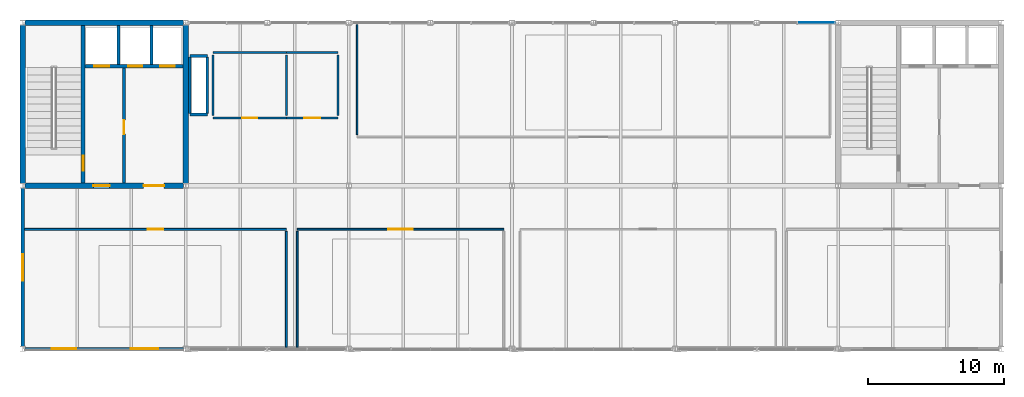
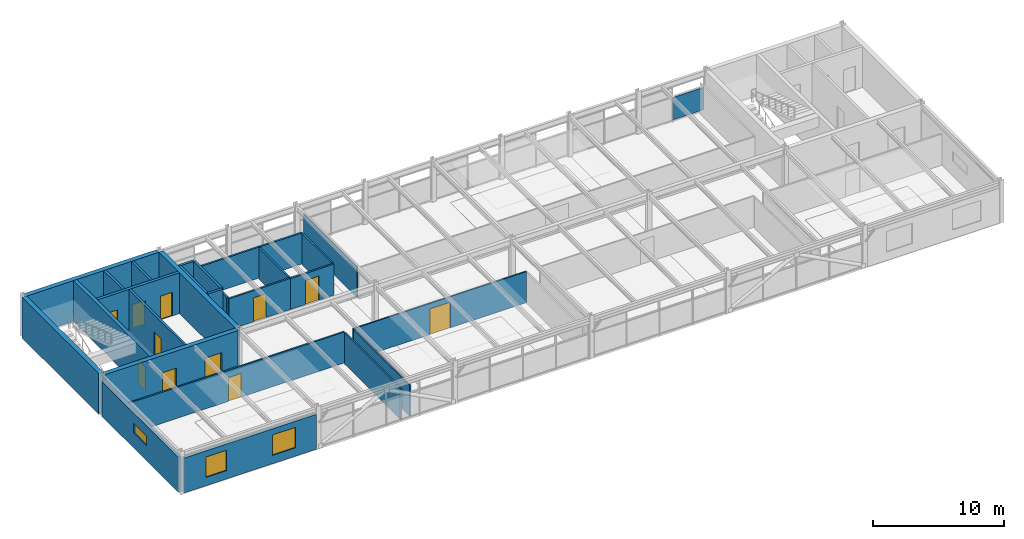
# One storey, part 19 of 23: 27 walls, 11 doors, 3 windows, 1 plate, 14 openings, 1 element without a shape of its own.
"""IFC4 building model written with IfcOpenShell, lengths in metres."""

from ifc_helpers import new_model, si_unit, direction, frame, frame_2d, origin, origin_2d, place, context, subcontext, project, spatial, rectangle, extrude, material, layer, layer_set, type_object, element, fill, aggregate, save


model = new_model("IFC4")

# Units and contexts
model_context = context("Model", 3, precision=1e-05, world=origin(), true_north=direction((0.0, 1.0)))
body_context = subcontext(model_context, "Body", "Model", "MODEL_VIEW")
ifc_project = project(units=[si_unit("LENGTHUNIT", "METRE"), si_unit("AREAUNIT", "SQUARE_METRE"), si_unit("VOLUMEUNIT", "CUBIC_METRE"), si_unit("PLANEANGLEUNIT", "RADIAN"), si_unit("MASSUNIT", "GRAM", prefix="KILO")], contexts=[model_context])

# Site, building, storey
site_placement = place(None, origin())
site = spatial("IfcSite", under=ifc_project, at=site_placement, CompositionType="ELEMENT")
building_placement = place(site_placement, origin())
building = spatial("IfcBuilding", under=site, at=building_placement, Name="Girod Span Mobility Hub", CompositionType="ELEMENT")
storey_placement = place(building_placement, frame((0.0, 0.0, 65.60009765625)))
storey = spatial("IfcBuildingStorey", under=building, at=storey_placement, Name="L16", CompositionType="ELEMENT", Elevation=65.60009765625)

# Curtain wall, plate
ifc_material_1 = material(Name="Thermally Broken Anodised Aluminium", Category="aluminium")
curtain_wall_type = type_object("IfcCurtainWallType", Name="CW-564X325", PredefinedType="USERDEFINED", material=ifc_material_1)
curtain_wall_placement = place(storey_placement, origin())
curtain_wall = element("IfcCurtainWall", 1, at=curtain_wall_placement, inside=storey, type_object=curtain_wall_type, Name="Unitised Curtain Wall CW-L16-N09E L16", ObjectType="UNITISED CURTAIN WALL", PredefinedType="USERDEFINED")
ifc_material_2 = material(Name="Double Low-E Insulated Glazing", Category="glass")
ifc_layer_1 = layer(ifc_material_2, 0.035888671875)
ifc_layer_set_1 = layer_set([ifc_layer_1], Name="Double Low-E Insulated Glazing")
plate_type = type_object("IfcPlateType", Name="PLT-VIS-2748X2337X36", PredefinedType="CURTAIN_PANEL", material=ifc_layer_set_1)
plate_placement = place(storey_placement, frame((106.40869140625, 69.0, 0.139892578125), z_axis=(0.0, 0.0, 1.0), x_axis=(1.0, 0.0, 0.0)))
plate = element("IfcPlate", 2, at=plate_placement, type_object=plate_type, Name="Vision Glazing Panel CW-L16-N09E-V2", PredefinedType="CURTAIN_PANEL", context=body_context, shape_type="SweptSolid", body=[
    extrude(rectangle(XDim=2.75341796875, YDim=0.035888671875, at=origin_2d()), origin(), (0.0, 0.0, 1.0), 2.0771484375),
])
aggregate(curtain_wall, [plate])

# Wall, openings, doors
ifc_material_3 = material(Name="Concrete C40/50", Category="concrete")
ifc_layer_2 = layer(ifc_material_3, 0.39990234375)
ifc_layer_set_2 = layer_set([ifc_layer_2], Name="Concrete C40/50")
wall_type_1 = type_object("IfcWallType", Name="W-CW-400", PredefinedType="SHEAR", material=ifc_layer_set_2)
wall_1_placement = place(storey_placement, frame((48.181396484375, 57.0, 0.0), z_axis=(0.0, 0.0, 1.0), x_axis=(1.0, 0.0, 0.0)))
wall_1 = element("IfcWall", 3, at=wall_1_placement, inside=storey, type_object=wall_type_1, Name="Core C1 Shear Wall S L16", PredefinedType="SHEAR", context=body_context, shape_type="SweptSolid", body=[
    extrude(rectangle(XDim=11.63720703125, YDim=0.39990234375, at=frame_2d((5.818603515625, 0.0))), origin(), (0.0, 0.0, 1.0), 3.79296875),
])
opening_1_placement = place(wall_1_placement, frame((5.01904296875, 0.0, 0.0)))
opening_1 = element("IfcOpeningElement", 4, at=opening_1_placement, cuts=wall_1, Name="Opening D-FL-C1-L16", PredefinedType="OPENING", context=body_context, shape_type="SweptSolid", body=[
    extrude(rectangle(XDim=1.199951171875, YDim=2.199951171875, at=frame_2d((0.60009765625, 1.10009765625))), frame((0.0, 0.21484375, 0.0), z_axis=(0.0, -1.0, 0.0), x_axis=(1.0, 0.0, 0.0)), (0.0, 0.0, 1.0), 0.429931640625),
])
opening_2_placement = place(wall_1_placement, frame((8.718017578125, 0.0, 0.0)))
opening_2 = element("IfcOpeningElement", 5, at=opening_2_placement, cuts=wall_1, Name="Opening D-LB-C1-L16", PredefinedType="OPENING", context=body_context, shape_type="SweptSolid", body=[
    extrude(rectangle(XDim=1.5, YDim=2.25, at=frame_2d((0.75, 1.125))), frame((0.0, 0.21484375, 0.0), z_axis=(0.0, -1.0, 0.0), x_axis=(1.0, 0.0, 0.0)), (0.0, 0.0, 1.0), 0.429931640625),
])
ifc_material_4 = material(Name="Fire-Rated Insulated Hollow Metal Steel", Category="steel")
door_type_1 = type_object("IfcDoorType", Name="DT-FD-03", OperationType="DOUBLE_DOOR_SINGLE_SWING", PredefinedType="DOOR", material=ifc_material_4)
door_1_placement = place(opening_2_placement, origin())
door_1 = element("IfcDoor", 6, at=door_1_placement, inside=storey, type_object=door_type_1, Name="Lift Lobby Entry Door C1 L16", OperationType="DOUBLE_DOOR_SINGLE_SWING", OverallHeight=2.25, OverallWidth=1.5, PredefinedType="DOOR", context=body_context, shape_type="SweptSolid", body=[
    extrude(rectangle(XDim=1.5, YDim=2.25, at=frame_2d((0.75, 1.125))), frame((0.0, 0.02490234375, 0.0), z_axis=(0.0, -1.0, 0.0), x_axis=(1.0, 0.0, 0.0)), (0.0, 0.0, 1.0), 0.050048828125),
])
fill(opening_2, door_1)
ifc_material_5 = material(Name="Fire-Rated Insulated Hollow Metal Steel", Category="steel")
door_type_2 = type_object("IfcDoorType", Name="DT-FD-05", OperationType="NOTDEFINED", PredefinedType="DOOR", material=ifc_material_5)
door_2_placement = place(opening_1_placement, origin())
door_2 = element("IfcDoor", 7, at=door_2_placement, inside=storey, type_object=door_type_2, Name="Firefighting Lobby Entry Door C1 L16", OperationType="SINGLE_SWING_RIGHT", OverallHeight=2.199951171875, OverallWidth=1.199951171875, PredefinedType="DOOR", context=body_context, shape_type="SweptSolid", body=[
    extrude(rectangle(XDim=1.199951171875, YDim=2.199951171875, at=frame_2d((0.60009765625, 1.10009765625))), frame((0.0, 0.02490234375, 0.0), z_axis=(0.0, -1.0, 0.0), x_axis=(1.0, 0.0, 0.0)), (0.0, 0.0, 1.0), 0.050048828125),
])
fill(opening_1, door_2)

# Walls
wall_2_placement = place(storey_placement, frame((48.181396484375, 69.0, 0.0), z_axis=(0.0, 0.0, 1.0), x_axis=(1.0, 0.0, 0.0)))
element("IfcWall", 8, at=wall_2_placement, inside=storey, type_object=wall_type_1, Name="Core C1 Shear Wall N L16", PredefinedType="SHEAR", context=body_context, shape_type="SweptSolid", body=[
    extrude(rectangle(XDim=11.63720703125, YDim=0.39990234375, at=frame_2d((5.818603515625, 0.0))), origin(), (0.0, 0.0, 1.0), 3.79296875),
])
for number, where, z_axis, x_axis, name in (
    (9, (48.0, 57.175048828125, 0.0), (0.0, 0.0, 1.0), (0.0, 1.0, 0.0), "Core C1 Shear Wall W L16"),
    (10, (60.0, 57.175048828125, 0.0), (0.0, 0.0, 1.0), (0.0, 1.0, 0.0), "Core C1 Shear Wall E L16"),
):
    element("IfcWall", number, at=place(storey_placement, frame(where, z_axis=z_axis, x_axis=x_axis)), inside=storey, type_object=wall_type_1, Name=name, PredefinedType="SHEAR", context=body_context, shape_type="SweptSolid", body=[
        extrude(rectangle(XDim=11.64990234375, YDim=0.39990234375, at=frame_2d((5.824951171875, 0.0))), origin(), (0.0, 0.0, 1.0), 3.79296875),
    ])

# Wall, openings, windows
ifc_material_6 = material(Name="Precast Architectural Concrete C40/50", Category="concrete")
ifc_layer_3 = layer(ifc_material_6, 0.235107421875)
ifc_layer_set_3 = layer_set([ifc_layer_3], Name="Precast Architectural Concrete C40/50")
wall_type_2 = type_object("IfcWallType", Name="W-EXT-235", PredefinedType="SOLIDWALL", material=ifc_layer_set_3)
wall_3_placement = place(storey_placement, frame((48.1826171875, 45.0, 0.0), z_axis=(0.0, 0.0, 1.0), x_axis=(1.0, 0.0, 0.0)))
wall_3 = element("IfcWall", 11, at=wall_3_placement, inside=storey, type_object=wall_type_2, Name="Office Insulated Facade Wall S-5 L16", PredefinedType="SOLIDWALL", context=body_context, shape_type="SweptSolid", body=[
    extrude(rectangle(XDim=11.634765625, YDim=0.235107421875, at=frame_2d((5.8173828125, 0.0))), origin(), (0.0, 0.0, 1.0), 3.245849609375),
])
opening_3_placement = place(wall_3_placement, frame((1.9599609375, 0.0, 0.780029296875)))
opening_3 = element("IfcOpeningElement", 12, at=opening_3_placement, cuts=wall_3, Name="Opening W-L16-S4A", PredefinedType="OPENING", context=body_context, shape_type="SweptSolid", body=[
    extrude(rectangle(XDim=1.780029296875, YDim=1.89990234375, at=frame_2d((0.89013671875, 0.949951171875))), frame((0.0, 0.132568359375, 0.0), z_axis=(0.0, -1.0, 0.0), x_axis=(1.0, 0.0, 0.0)), (0.0, 0.0, 1.0), 0.26513671875),
])
opening_4_placement = place(wall_3_placement, frame((7.77490234375, 0.0, 0.780029296875)))
opening_4 = element("IfcOpeningElement", 13, at=opening_4_placement, cuts=wall_3, Name="Opening W-L16-S4B", PredefinedType="OPENING", context=body_context, shape_type="SweptSolid", body=[
    extrude(rectangle(XDim=2.02001953125, YDim=1.89990234375, at=frame_2d((1.010009765625, 0.949951171875))), frame((0.0, 0.132568359375, 0.0), z_axis=(0.0, -1.0, 0.0), x_axis=(1.0, 0.0, 0.0)), (0.0, 0.0, 1.0), 0.26513671875),
])
ifc_material_7 = material(Name="Double Low-E Insulated Glazing", Category="glass")
window_type_1 = type_object("IfcWindowType", Name="WN-40", PartitioningType="SINGLE_PANEL", PredefinedType="WINDOW", material=ifc_material_7)
window_1_placement = place(opening_3_placement, origin())
window_1 = element("IfcWindow", 14, at=window_1_placement, inside=storey, type_object=window_type_1, Name="Office Window WN-40", OverallHeight=1.89990234375, OverallWidth=1.780029296875, PartitioningType="SINGLE_PANEL", PredefinedType="WINDOW", context=body_context, shape_type="SweptSolid", body=[
    extrude(rectangle(XDim=1.780029296875, YDim=1.89990234375, at=frame_2d((0.89013671875, 0.949951171875))), frame((0.0, 0.030029296875, 0.0), z_axis=(0.0, -1.0, 0.0), x_axis=(1.0, 0.0, 0.0)), (0.0, 0.0, 1.0), 0.06005859375),
])
fill(opening_3, window_1)
ifc_material_8 = material(Name="Double Low-E Insulated Glazing", Category="glass")
window_type_2 = type_object("IfcWindowType", Name="WN-41", PartitioningType="DOUBLE_PANEL_VERTICAL", PredefinedType="WINDOW", material=ifc_material_8)
window_2_placement = place(opening_4_placement, origin())
window_2 = element("IfcWindow", 15, at=window_2_placement, inside=storey, type_object=window_type_2, Name="Office Window WN-41", OverallHeight=1.89990234375, OverallWidth=2.02001953125, PartitioningType="DOUBLE_PANEL_VERTICAL", PredefinedType="WINDOW", context=body_context, shape_type="SweptSolid", body=[
    extrude(rectangle(XDim=2.02001953125, YDim=1.89990234375, at=frame_2d((1.010009765625, 0.949951171875))), frame((0.0, 0.030029296875, 0.0), z_axis=(0.0, -1.0, 0.0), x_axis=(1.0, 0.0, 0.0)), (0.0, 0.0, 1.0), 0.06005859375),
])
fill(opening_4, window_2)

# Wall, opening, window
ifc_material_9 = material(Name="Precast Architectural Concrete C40/50", Category="concrete")
ifc_layer_4 = layer(ifc_material_9, 0.27001953125)
ifc_layer_set_4 = layer_set([ifc_layer_4], Name="Precast Architectural Concrete C40/50")
wall_type_3 = type_object("IfcWallType", Name="W-EXT-270", PredefinedType="SOLIDWALL", material=ifc_layer_set_4)
wall_4_placement = place(storey_placement, frame((48.0, 45.176025390625, 0.0), z_axis=(0.0, 0.0, 1.0), x_axis=(0.0, 1.0, 0.0)))
wall_4 = element("IfcWall", 16, at=wall_4_placement, inside=storey, type_object=wall_type_3, Name="End Facade Insulated Wall W-D L16", PredefinedType="SOLIDWALL", context=body_context, shape_type="SweptSolid", body=[
    extrude(rectangle(XDim=11.64794921875, YDim=0.27001953125, at=frame_2d((5.823974609375, 0.0))), origin(), (0.0, 0.0, 1.0), 3.245849609375),
])
opening_5_placement = place(wall_4_placement, frame((4.84912109375, 0.0, 1.39990234375)))
opening_5 = element("IfcOpeningElement", 17, at=opening_5_placement, cuts=wall_4, Name="Opening W-L16-W3", PredefinedType="OPENING", context=body_context, shape_type="SweptSolid", body=[
    extrude(rectangle(XDim=1.949951171875, YDim=0.8798828125, at=frame_2d((0.97509765625, 0.43994140625))), frame((0.0, 0.14990234375, 0.0), z_axis=(0.0, -1.0, 0.0), x_axis=(1.0, 0.0, 0.0)), (0.0, 0.0, 1.0), 0.300048828125),
])
ifc_material_10 = material(Name="Double Low-E Insulated Glazing", Category="glass")
window_type_3 = type_object("IfcWindowType", Name="WN-44", PartitioningType="DOUBLE_PANEL_VERTICAL", PredefinedType="USERDEFINED", material=ifc_material_10)
window_3_placement = place(opening_5_placement, origin())
window_3 = element("IfcWindow", 18, at=window_3_placement, inside=storey, type_object=window_type_3, Name="End Office Window WN-44", ObjectType="TRANSOM LIGHT", OverallHeight=0.8798828125, OverallWidth=1.949951171875, PartitioningType="DOUBLE_PANEL_VERTICAL", PredefinedType="USERDEFINED", context=body_context, shape_type="SweptSolid", body=[
    extrude(rectangle(XDim=1.949951171875, YDim=0.8798828125, at=frame_2d((0.97509765625, 0.43994140625))), frame((0.0, 0.030029296875, 0.0), z_axis=(0.0, -1.0, 0.0), x_axis=(1.0, 0.0, 0.0)), (0.0, 0.0, 1.0), 0.06005859375),
])
fill(opening_5, window_3)

# Wall, opening, door
ifc_material_11 = material(Name="Concrete C40/50", Category="concrete")
ifc_layer_5 = layer(ifc_material_11, 0.18994140625)
ifc_layer_set_5 = layer_set([ifc_layer_5], Name="Concrete C40/50")
wall_type_4 = type_object("IfcWallType", Name="W-FL-190", PredefinedType="SOLIDWALL", material=ifc_layer_set_5)
wall_5_placement = place(storey_placement, frame((55.449951171875, 57.199951171875, 0.0), z_axis=(0.0, 0.0, 1.0), x_axis=(0.0, 1.0, 0.0)))
wall_5 = element("IfcWall", 19, at=wall_5_placement, inside=storey, type_object=wall_type_4, Name="Core C1 Firefighting Lobby Wall L16", PredefinedType="SOLIDWALL", context=body_context, shape_type="SweptSolid", body=[
    extrude(rectangle(XDim=8.47998046875, YDim=0.18994140625, at=frame_2d((4.239990234375, 0.0))), origin(), (0.0, 0.0, 1.0), 3.782958984375),
])
opening_6_placement = place(wall_5_placement, frame((3.60009765625, 0.0, 0.0)))
opening_6 = element("IfcOpeningElement", 20, at=opening_6_placement, cuts=wall_5, Name="Opening D-FLX-C1-L16", PredefinedType="OPENING", context=body_context, shape_type="SweptSolid", body=[
    extrude(rectangle(XDim=1.0400390625, YDim=2.179931640625, at=frame_2d((0.52001953125, 1.08984375))), frame((0.0, 0.10986328125, 0.0), z_axis=(0.0, -1.0, 0.0), x_axis=(1.0, 0.0, 0.0)), (0.0, 0.0, 1.0), 0.219970703125),
])
ifc_material_12 = material(Name="Fire-Rated Insulated Hollow Metal Steel", Category="steel")
door_type_3 = type_object("IfcDoorType", Name="DT-FD-02", OperationType="NOTDEFINED", PredefinedType="DOOR", material=ifc_material_12)
door_3_placement = place(opening_6_placement, origin())
door_3 = element("IfcDoor", 21, at=door_3_placement, inside=storey, type_object=door_type_3, Name="Firefighting Lobby Interconnect Door C1 L16", OperationType="SINGLE_SWING_RIGHT", OverallHeight=2.179931640625, OverallWidth=1.0400390625, PredefinedType="DOOR", context=body_context, shape_type="SweptSolid", body=[
    extrude(rectangle(XDim=1.0400390625, YDim=2.179931640625, at=frame_2d((0.52001953125, 1.08984375))), frame((0.0, 0.02490234375, 0.0), z_axis=(0.0, -1.0, 0.0), x_axis=(1.0, 0.0, 0.0)), (0.0, 0.0, 1.0), 0.050048828125),
])
fill(opening_6, door_3)

ifc_material_13 = material(Name="Fire-Rated Gypsum Board on Metal Studs", Category="gypsum")
ifc_layer_6 = layer(ifc_material_13, 0.155029296875)
ifc_layer_set_6 = layer_set([ifc_layer_6], Name="Fire-Rated Gypsum Board on Metal Studs")
wall_type_5 = type_object("IfcWallType", Name="W-PLB-155", PredefinedType="PLUMBINGWALL", material=ifc_layer_set_6)
wall_6_placement = place(storey_placement, frame((62.0, 62.0, 0.0), z_axis=(0.0, 0.0, 1.0), x_axis=(1.0, 0.0, 0.0)))
wall_6 = element("IfcWall", 22, at=wall_6_placement, inside=storey, type_object=wall_type_5, Name="Restroom L16 Partition S", PredefinedType="PLUMBINGWALL", context=body_context, shape_type="SweptSolid", body=[
    extrude(rectangle(XDim=5.39990234375, YDim=0.155029296875, at=frame_2d((2.699951171875, 0.0))), origin(), (0.0, 0.0, 1.0), 2.8798828125),
])
opening_7_placement = place(wall_6_placement, frame((2.14501953125, 0.0, 0.0)))
opening_7 = element("IfcOpeningElement", 23, at=opening_7_placement, cuts=wall_6, Name="Opening D-L16-WC-MAIN", PredefinedType="OPENING", context=body_context, shape_type="SweptSolid", body=[
    extrude(rectangle(XDim=1.110107421875, YDim=2.2099609375, at=frame_2d((0.55517578125, 1.10498046875))), frame((0.0, 0.092529296875, 0.0), z_axis=(0.0, -1.0, 0.0), x_axis=(1.0, 0.0, 0.0)), (0.0, 0.0, 1.0), 0.18505859375),
])
ifc_material_14 = material(Name="Solid-Core Architectural Timber", Category="wood")
door_type_4 = type_object("IfcDoorType", Name="DT-NR-06", OperationType="NOTDEFINED", PredefinedType="DOOR", material=ifc_material_14)
door_4_placement = place(opening_7_placement, origin())
door_4 = element("IfcDoor", 24, at=door_4_placement, inside=storey, type_object=door_type_4, Name="Restroom L16 Door", OperationType="SINGLE_SWING_RIGHT", OverallHeight=2.2099609375, OverallWidth=1.110107421875, PredefinedType="DOOR", context=body_context, shape_type="SweptSolid", body=[
    extrude(rectangle(XDim=1.110107421875, YDim=2.2099609375, at=frame_2d((0.55517578125, 1.10498046875))), frame((0.0, 0.02490234375, 0.0), z_axis=(0.0, -1.0, 0.0), x_axis=(1.0, 0.0, 0.0)), (0.0, 0.0, 1.0), 0.050048828125),
])
fill(opening_7, door_4)

# Walls
wall_7_placement = place(storey_placement, frame((62.0, 66.800048828125, 0.0), z_axis=(0.0, 0.0, 1.0), x_axis=(1.0, 0.0, 0.0)))
element("IfcWall", 25, at=wall_7_placement, inside=storey, type_object=wall_type_5, Name="Restroom L16 Partition N", PredefinedType="PLUMBINGWALL", context=body_context, shape_type="SweptSolid", body=[
    extrude(rectangle(XDim=5.39990234375, YDim=0.155029296875, at=frame_2d((2.699951171875, 0.0))), origin(), (0.0, 0.0, 1.0), 2.8798828125),
])
for number, where, z_axis, x_axis, name in (
    (26, (62.0, 62.159912109375, 0.0), (0.0, 0.0, 1.0), (0.0, 1.0, 0.0), "Restroom L16 Partition W"),
    (27, (67.39990234375, 62.159912109375, 0.0), (0.0, 0.0, 1.0), (0.0, 1.0, 0.0), "Restroom L16 Partition E"),
):
    element("IfcWall", number, at=place(storey_placement, frame(where, z_axis=z_axis, x_axis=x_axis)), inside=storey, type_object=wall_type_5, Name=name, PredefinedType="PLUMBINGWALL", context=body_context, shape_type="SweptSolid", body=[
        extrude(rectangle(XDim=4.47998046875, YDim=0.155029296875, at=frame_2d((2.239990234375, 0.0))), origin(), (0.0, 0.0, 1.0), 2.8798828125),
    ])

# Wall, opening, door
wall_8_placement = place(storey_placement, frame((67.39990234375, 62.0, 0.0), z_axis=(0.0, 0.0, 1.0), x_axis=(1.0, 0.0, 0.0)))
wall_8 = element("IfcWall", 28, at=wall_8_placement, inside=storey, type_object=wall_type_5, Name="Accessible WC L16 Partition S", PredefinedType="PLUMBINGWALL", context=body_context, shape_type="SweptSolid", body=[
    extrude(rectangle(XDim=3.800048828125, YDim=0.155029296875, at=frame_2d((1.89990234375, 0.0))), origin(), (0.0, 0.0, 1.0), 2.8798828125),
])
opening_8_placement = place(wall_8_placement, frame((1.320068359375, 0.0, 0.0)))
opening_8 = element("IfcOpeningElement", 29, at=opening_8_placement, cuts=wall_8, Name="Opening D-L16-WC-ACC", PredefinedType="OPENING", context=body_context, shape_type="SweptSolid", body=[
    extrude(rectangle(XDim=1.159912109375, YDim=2.22998046875, at=frame_2d((0.580078125, 1.114990234375))), frame((0.0, 0.092529296875, 0.0), z_axis=(0.0, -1.0, 0.0), x_axis=(1.0, 0.0, 0.0)), (0.0, 0.0, 1.0), 0.18505859375),
])
ifc_material_15 = material(Name="Solid-Core Architectural Timber", Category="wood")
door_type_5 = type_object("IfcDoorType", Name="DT-NR-07", OperationType="NOTDEFINED", PredefinedType="DOOR", material=ifc_material_15)
door_5_placement = place(opening_8_placement, origin())
door_5 = element("IfcDoor", 30, at=door_5_placement, inside=storey, type_object=door_type_5, Name="Accessible WC L16 Door", OperationType="SINGLE_SWING_LEFT", OverallHeight=2.22998046875, OverallWidth=1.159912109375, PredefinedType="DOOR", context=body_context, shape_type="SweptSolid", body=[
    extrude(rectangle(XDim=1.159912109375, YDim=2.22998046875, at=frame_2d((0.580078125, 1.114990234375))), frame((0.0, 0.02490234375, 0.0), z_axis=(0.0, -1.0, 0.0), x_axis=(1.0, 0.0, 0.0)), (0.0, 0.0, 1.0), 0.050048828125),
])
fill(opening_8, door_5)

# Walls
wall_9_placement = place(storey_placement, frame((67.39990234375, 66.800048828125, 0.0), z_axis=(0.0, 0.0, 1.0), x_axis=(1.0, 0.0, 0.0)))
element("IfcWall", 31, at=wall_9_placement, inside=storey, type_object=wall_type_5, Name="Accessible WC L16 Partition N", PredefinedType="PLUMBINGWALL", context=body_context, shape_type="SweptSolid", body=[
    extrude(rectangle(XDim=3.800048828125, YDim=0.155029296875, at=frame_2d((1.89990234375, 0.0))), origin(), (0.0, 0.0, 1.0), 2.8798828125),
])
wall_10_placement = place(storey_placement, frame((71.199951171875, 62.159912109375, 0.0), z_axis=(0.0, 0.0, 1.0), x_axis=(0.0, 1.0, 0.0)))
element("IfcWall", 32, at=wall_10_placement, inside=storey, type_object=wall_type_5, Name="Accessible WC L16 Partition E", PredefinedType="PLUMBINGWALL", context=body_context, shape_type="SweptSolid", body=[
    extrude(rectangle(XDim=4.47998046875, YDim=0.155029296875, at=frame_2d((2.239990234375, 0.0))), origin(), (0.0, 0.0, 1.0), 2.8798828125),
])
ifc_material_16 = material(Name="Fire-Rated Gypsum Board on Metal Studs", Category="gypsum")
ifc_layer_7 = layer(ifc_material_16, 0.114990234375)
ifc_layer_set_7 = layer_set([ifc_layer_7], Name="Fire-Rated Gypsum Board on Metal Studs")
wall_type_6 = type_object("IfcWallType", Name="W-PT-115", PredefinedType="PARTITIONING", material=ifc_layer_set_7)
wall_11_placement = place(storey_placement, frame((72.60009765625, 60.760009765625, 0.0), z_axis=(0.0, 0.0, 1.0), x_axis=(0.0, 1.0, 0.0)))
element("IfcWall", 33, at=wall_11_placement, inside=storey, type_object=wall_type_6, Name="Executive Studio North L16 Partition W", PredefinedType="PARTITIONING", context=body_context, shape_type="SweptSolid", body=[
    extrude(rectangle(XDim=8.10009765625, YDim=0.114990234375, at=frame_2d((4.050048828125, 0.0))), origin(), (0.0, 0.0, 1.0), 2.8798828125),
])

# Wall, opening, door
ifc_material_17 = material(Name="Fire-Rated Gypsum Board on Metal Studs", Category="gypsum")
ifc_layer_8 = layer(ifc_material_17, 0.125)
ifc_layer_set_8 = layer_set([ifc_layer_8], Name="Fire-Rated Gypsum Board on Metal Studs")
wall_type_7 = type_object("IfcWallType", Name="W-PT-125", PredefinedType="PARTITIONING", material=ifc_layer_set_8)
wall_12_placement = place(storey_placement, frame((68.199951171875, 53.800048828125, 0.0), z_axis=(0.0, 0.0, 1.0), x_axis=(1.0, 0.0, 0.0)))
wall_12 = element("IfcWall", 34, at=wall_12_placement, inside=storey, type_object=wall_type_7, Name="Conference Room South L16 Partition N", PredefinedType="PARTITIONING", context=body_context, shape_type="SweptSolid", body=[
    extrude(rectangle(XDim=15.199951171875, YDim=0.125, at=frame_2d((7.60009765625, 0.0))), origin(), (0.0, 0.0, 1.0), 2.8798828125),
])
opening_9_placement = place(wall_12_placement, frame((6.705078125, 0.0, 0.0)))
opening_9 = element("IfcOpeningElement", 35, at=opening_9_placement, cuts=wall_12, Name="Opening D-L16-CONF-CC", PredefinedType="OPENING", context=body_context, shape_type="SweptSolid", body=[
    extrude(rectangle(XDim=1.7900390625, YDim=2.389892578125, at=frame_2d((0.89501953125, 1.19482421875))), frame((0.0, 0.077392578125, 0.0), z_axis=(0.0, -1.0, 0.0), x_axis=(1.0, 0.0, 0.0)), (0.0, 0.0, 1.0), 0.155029296875),
])
ifc_material_18 = material(Name="Solid-Core Architectural Timber", Category="wood")
door_type_6 = type_object("IfcDoorType", Name="DT-NR-18", OperationType="DOUBLE_DOOR_SINGLE_SWING", PredefinedType="DOOR", material=ifc_material_18)
door_6_placement = place(opening_9_placement, origin())
door_6 = element("IfcDoor", 36, at=door_6_placement, inside=storey, type_object=door_type_6, Name="Conference Room South L16 Door", OperationType="DOUBLE_DOOR_SINGLE_SWING", OverallHeight=2.389892578125, OverallWidth=1.7900390625, PredefinedType="DOOR", context=body_context, shape_type="SweptSolid", body=[
    extrude(rectangle(XDim=1.7900390625, YDim=2.389892578125, at=frame_2d((0.89501953125, 1.19482421875))), frame((0.0, 0.02490234375, 0.0), z_axis=(0.0, -1.0, 0.0), x_axis=(1.0, 0.0, 0.0)), (0.0, 0.0, 1.0), 0.050048828125),
])
fill(opening_9, door_6)

# Wall
wall_13_placement = place(storey_placement, frame((68.199951171875, 45.139892578125, 0.0), z_axis=(0.0, 0.0, 1.0), x_axis=(0.0, 1.0, 0.0)))
element("IfcWall", 37, at=wall_13_placement, inside=storey, type_object=wall_type_7, Name="Conference Room South L16 Partition W", PredefinedType="PARTITIONING", context=body_context, shape_type="SweptSolid", body=[
    extrude(rectangle(XDim=8.5, YDim=0.125, at=frame_2d((4.25, 0.0))), origin(), (0.0, 0.0, 1.0), 2.8798828125),
])

# Wall, opening, door
ifc_material_19 = material(Name="Fire-Rated Gypsum Board on Metal Studs", Category="gypsum")
ifc_layer_9 = layer(ifc_material_19, 0.139892578125)
ifc_layer_set_9 = layer_set([ifc_layer_9], Name="Fire-Rated Gypsum Board on Metal Studs")
wall_type_8 = type_object("IfcWallType", Name="W-PT-140", PredefinedType="PARTITIONING", material=ifc_layer_set_9)
wall_14_placement = place(storey_placement, frame((48.139892578125, 53.800048828125, 0.0), z_axis=(0.0, 0.0, 1.0), x_axis=(1.0, 0.0, 0.0)))
wall_14 = element("IfcWall", 38, at=wall_14_placement, inside=storey, type_object=wall_type_8, Name="Office Suite West L16 Partition N", PredefinedType="PARTITIONING", context=body_context, shape_type="SweptSolid", body=[
    extrude(rectangle(XDim=19.260009765625, YDim=0.139892578125, at=frame_2d((9.6298828125, 0.0))), origin(), (0.0, 0.0, 1.0), 2.8798828125),
])
opening_10_placement = place(wall_14_placement, frame((9.074951171875, 0.0, 0.0)))
opening_10 = element("IfcOpeningElement", 39, at=opening_10_placement, cuts=wall_14, Name="Opening D-L16-OFF-CW", PredefinedType="OPENING", context=body_context, shape_type="SweptSolid", body=[
    extrude(rectangle(XDim=1.110107421875, YDim=2.2099609375, at=frame_2d((0.55517578125, 1.10498046875))), frame((0.0, 0.0849609375, 0.0), z_axis=(0.0, -1.0, 0.0), x_axis=(1.0, 0.0, 0.0)), (0.0, 0.0, 1.0), 0.169921875),
])
door_7_placement = place(opening_10_placement, origin())
door_7 = element("IfcDoor", 40, at=door_7_placement, inside=storey, type_object=door_type_4, Name="Office Suite West L16 Door", OperationType="SINGLE_SWING_RIGHT", OverallHeight=2.2099609375, OverallWidth=1.110107421875, PredefinedType="DOOR", context=body_context, shape_type="SweptSolid", body=[
    extrude(rectangle(XDim=1.110107421875, YDim=2.2099609375, at=frame_2d((0.55517578125, 1.10498046875))), frame((0.0, 0.02490234375, 0.0), z_axis=(0.0, -1.0, 0.0), x_axis=(1.0, 0.0, 0.0)), (0.0, 0.0, 1.0), 0.050048828125),
])
fill(opening_10, door_7)

# Walls
wall_15_placement = place(storey_placement, frame((67.39990234375, 45.139892578125, 0.0), z_axis=(0.0, 0.0, 1.0), x_axis=(0.0, 1.0, 0.0)))
element("IfcWall", 41, at=wall_15_placement, inside=storey, type_object=wall_type_8, Name="Office Suite West L16 Partition E", PredefinedType="PARTITIONING", context=body_context, shape_type="SweptSolid", body=[
    extrude(rectangle(XDim=8.5, YDim=0.139892578125, at=frame_2d((4.25, 0.0))), origin(), (0.0, 0.0, 1.0), 2.8798828125),
])
ifc_material_20 = material(Name="Concrete C40/50", Category="concrete")
ifc_layer_10 = layer(ifc_material_20, 0.199951171875)
ifc_layer_set_10 = layer_set([ifc_layer_10], Name="Concrete C40/50")
wall_type_9 = type_object("IfcWallType", Name="W-SH-200", PredefinedType="SOLIDWALL", material=ifc_layer_set_10)
for number, where, z_axis, x_axis, name in (
    (42, (60.297119140625, 62.25, 0.0), (0.0, 0.0, 1.0), (1.0, 0.0, 0.0), "Sanitary Wet Riser Shaft Wall S L16"),
    (43, (60.297119140625, 66.550048828125, 0.0), (0.0, 0.0, 1.0), (1.0, 0.0, 0.0), "Sanitary Wet Riser Shaft Wall N L16"),
):
    element("IfcWall", number, at=place(storey_placement, frame(where, z_axis=z_axis, x_axis=x_axis)), inside=storey, type_object=wall_type_9, Name=name, PredefinedType="SOLIDWALL", context=body_context, shape_type="SweptSolid", body=[
        extrude(rectangle(XDim=1.282958984375, YDim=0.199951171875, at=frame_2d((0.6416015625, 0.0))), origin(), (0.0, 0.0, 1.0), 3.79296875),
    ])
for number, where, z_axis, x_axis, name in (
    (44, (60.297119140625, 62.330078125, 0.0), (0.0, 0.0, 1.0), (0.0, 1.0, 0.0), "Sanitary Wet Riser Shaft Wall W L16"),
    (45, (61.580078125, 62.330078125, 0.0), (0.0, 0.0, 1.0), (0.0, 1.0, 0.0), "Sanitary Wet Riser Shaft Wall E L16"),
):
    element("IfcWall", number, at=place(storey_placement, frame(where, z_axis=z_axis, x_axis=x_axis)), inside=storey, type_object=wall_type_9, Name=name, PredefinedType="SOLIDWALL", context=body_context, shape_type="SweptSolid", body=[
        extrude(rectangle(XDim=4.139892578125, YDim=0.199951171875, at=frame_2d((2.06982421875, 0.0))), origin(), (0.0, 0.0, 1.0), 3.79296875),
    ])
for number, where, z_axis, x_axis, name in (
    (46, (55.050048828125, 65.919921875, 0.0), (0.0, 0.0, 1.0), (0.0, 1.0, 0.0), "Core C1 Shaft Divider 1 L16"),
    (47, (57.47998046875, 65.919921875, 0.0), (0.0, 0.0, 1.0), (0.0, 1.0, 0.0), "Core C1 Shaft Divider 2 L16"),
):
    element("IfcWall", number, at=place(storey_placement, frame(where, z_axis=z_axis, x_axis=x_axis)), inside=storey, type_object=wall_type_9, Name=name, PredefinedType="SOLIDWALL", context=body_context, shape_type="SweptSolid", body=[
        extrude(rectangle(XDim=2.880126953125, YDim=0.199951171875, at=frame_2d((1.43994140625, 0.0))), origin(), (0.0, 0.0, 1.0), 3.782958984375),
    ])

# Wall, openings, doors
ifc_material_21 = material(Name="Concrete C40/50", Category="concrete")
ifc_layer_11 = layer(ifc_material_21, 0.25)
ifc_layer_set_11 = layer_set([ifc_layer_11], Name="Concrete C40/50")
wall_type_10 = type_object("IfcWallType", Name="W-SH-250", PredefinedType="SOLIDWALL", material=ifc_layer_set_11)
wall_16_placement = place(storey_placement, frame((52.596923828125, 65.800048828125, 0.0), z_axis=(0.0, 0.0, 1.0), x_axis=(1.0, 0.0, 0.0)))
wall_16 = element("IfcWall", 48, at=wall_16_placement, inside=storey, type_object=wall_type_10, Name="Core C1 Hoistway Front Wall L16", PredefinedType="SOLIDWALL", context=body_context, shape_type="SweptSolid", body=[
    extrude(rectangle(XDim=7.2060546875, YDim=0.25, at=frame_2d((3.60302734375, 0.0))), origin(), (0.0, 0.0, 1.0), 3.79296875),
])
opening_11_placement = place(wall_16_placement, frame((0.653076171875, 0.0, 0.0)))
opening_11 = element("IfcOpeningElement", 49, at=opening_11_placement, cuts=wall_16, Name="Opening LD-FL-1-L16", PredefinedType="OPENING", context=body_context, shape_type="SweptSolid", body=[
    extrude(rectangle(XDim=1.10009765625, YDim=2.239990234375, at=frame_2d((0.550048828125, 1.1201171875))), frame((0.0, 0.139892578125, 0.0), z_axis=(0.0, -1.0, 0.0), x_axis=(1.0, 0.0, 0.0)), (0.0, 0.0, 1.0), 0.280029296875),
])
opening_12_placement = place(wall_16_placement, frame((3.153076171875, 0.0, 0.0)))
opening_12 = element("IfcOpeningElement", 50, at=opening_12_placement, cuts=wall_16, Name="Opening LD-LP-1-L16", PredefinedType="OPENING", context=body_context, shape_type="SweptSolid", body=[
    extrude(rectangle(XDim=1.050048828125, YDim=2.199951171875, at=frame_2d((0.52490234375, 1.10009765625))), frame((0.0, 0.139892578125, 0.0), z_axis=(0.0, -1.0, 0.0), x_axis=(1.0, 0.0, 0.0)), (0.0, 0.0, 1.0), 0.280029296875),
])
opening_13_placement = place(wall_16_placement, frame((5.528076171875, 0.0, 0.0)))
opening_13 = element("IfcOpeningElement", 51, at=opening_13_placement, cuts=wall_16, Name="Opening LD-LP-2-L16", PredefinedType="OPENING", context=body_context, shape_type="SweptSolid", body=[
    extrude(rectangle(XDim=1.050048828125, YDim=2.199951171875, at=frame_2d((0.52490234375, 1.10009765625))), frame((0.0, 0.139892578125, 0.0), z_axis=(0.0, -1.0, 0.0), x_axis=(1.0, 0.0, 0.0)), (0.0, 0.0, 1.0), 0.280029296875),
])
ifc_material_22 = material(Name="Brushed Stainless Steel Grade 304", Category="steel")
door_type_7 = type_object("IfcDoorType", Name="LD-FL-110", OperationType="SLIDING_TO_LEFT", PredefinedType="USERDEFINED", material=ifc_material_22)
door_8_placement = place(opening_11_placement, origin())
door_8 = element("IfcDoor", 52, at=door_8_placement, inside=storey, type_object=door_type_7, Name="Lift FL-1 Sliding Landing Door L16", ObjectType="LANDING DOOR", OperationType="SLIDING_TO_LEFT", OverallHeight=2.239990234375, OverallWidth=1.10009765625, PredefinedType="USERDEFINED", context=body_context, shape_type="SweptSolid", body=[
    extrude(rectangle(XDim=1.10009765625, YDim=2.239990234375, at=frame_2d((0.550048828125, 1.1201171875))), frame((0.0, 0.02490234375, 0.0), z_axis=(0.0, -1.0, 0.0), x_axis=(1.0, 0.0, 0.0)), (0.0, 0.0, 1.0), 0.050048828125),
])
fill(opening_11, door_8)
ifc_material_23 = material(Name="Brushed Stainless Steel Grade 304", Category="steel")
door_type_8 = type_object("IfcDoorType", Name="LD-LP-105", OperationType="SLIDING_TO_LEFT", PredefinedType="USERDEFINED", material=ifc_material_23)
door_9_placement = place(opening_12_placement, origin())
door_9 = element("IfcDoor", 53, at=door_9_placement, inside=storey, type_object=door_type_8, Name="Lift LP-1 Sliding Landing Door L16", ObjectType="LANDING DOOR", OperationType="SLIDING_TO_LEFT", OverallHeight=2.199951171875, OverallWidth=1.050048828125, PredefinedType="USERDEFINED", context=body_context, shape_type="SweptSolid", body=[
    extrude(rectangle(XDim=1.050048828125, YDim=2.199951171875, at=frame_2d((0.52490234375, 1.10009765625))), frame((0.0, 0.02490234375, 0.0), z_axis=(0.0, -1.0, 0.0), x_axis=(1.0, 0.0, 0.0)), (0.0, 0.0, 1.0), 0.050048828125),
])
fill(opening_12, door_9)
door_10_placement = place(opening_13_placement, origin())
door_10 = element("IfcDoor", 54, at=door_10_placement, inside=storey, type_object=door_type_8, Name="Lift LP-2 Sliding Landing Door L16", ObjectType="LANDING DOOR", OperationType="SLIDING_TO_LEFT", OverallHeight=2.199951171875, OverallWidth=1.050048828125, PredefinedType="USERDEFINED", context=body_context, shape_type="SweptSolid", body=[
    extrude(rectangle(XDim=1.050048828125, YDim=2.199951171875, at=frame_2d((0.52490234375, 1.10009765625))), frame((0.0, 0.02490234375, 0.0), z_axis=(0.0, -1.0, 0.0), x_axis=(1.0, 0.0, 0.0)), (0.0, 0.0, 1.0), 0.050048828125),
])
fill(opening_13, door_10)

# Wall, opening, door
ifc_material_24 = material(Name="Concrete C40/50", Category="concrete")
ifc_layer_12 = layer(ifc_material_24, 0.300048828125)
ifc_layer_set_12 = layer_set([ifc_layer_12], Name="Concrete C40/50")
wall_type_11 = type_object("IfcWallType", Name="W-SH-300", PredefinedType="SHEAR", material=ifc_layer_set_12)
wall_17_placement = place(storey_placement, frame((52.449951171875, 57.197021484375, 0.0), z_axis=(0.0, 0.0, 1.0), x_axis=(0.0, 1.0, 0.0)))
wall_17 = element("IfcWall", 55, at=wall_17_placement, inside=storey, type_object=wall_type_11, Name="Core C1 Stairwell Spine Wall L16", PredefinedType="SHEAR", context=body_context, shape_type="SweptSolid", body=[
    extrude(rectangle(XDim=11.60595703125, YDim=0.300048828125, at=frame_2d((5.802978515625, 0.0))), origin(), (0.0, 0.0, 1.0), 3.79296875),
])
opening_14_placement = place(wall_17_placement, frame((0.89990234375, 0.0, 0.0)))
opening_14 = element("IfcOpeningElement", 56, at=opening_14_placement, cuts=wall_17, Name="Opening D-ST-1-L16", PredefinedType="OPENING", context=body_context, shape_type="SweptSolid", body=[
    extrude(rectangle(XDim=1.10009765625, YDim=2.199951171875, at=frame_2d((0.550048828125, 1.10009765625))), frame((0.0, 0.1650390625, 0.0), z_axis=(0.0, -1.0, 0.0), x_axis=(1.0, 0.0, 0.0)), (0.0, 0.0, 1.0), 0.330078125),
])
ifc_material_25 = material(Name="Fire-Rated Insulated Hollow Metal Steel", Category="steel")
door_type_9 = type_object("IfcDoorType", Name="DT-FD-01", OperationType="NOTDEFINED", PredefinedType="DOOR", material=ifc_material_25)
door_11_placement = place(opening_14_placement, origin())
door_11 = element("IfcDoor", 57, at=door_11_placement, inside=storey, type_object=door_type_9, Name="Stair ST-1 Fire Door L16", OperationType="SINGLE_SWING_LEFT", OverallHeight=2.199951171875, OverallWidth=1.10009765625, PredefinedType="DOOR", context=body_context, shape_type="SweptSolid", body=[
    extrude(rectangle(XDim=1.10009765625, YDim=2.199951171875, at=frame_2d((0.550048828125, 1.10009765625))), frame((0.0, 0.02490234375, 0.0), z_axis=(0.0, -1.0, 0.0), x_axis=(1.0, 0.0, 0.0)), (0.0, 0.0, 1.0), 0.050048828125),
])
fill(opening_14, door_11)

save(model, "model.ifc")
